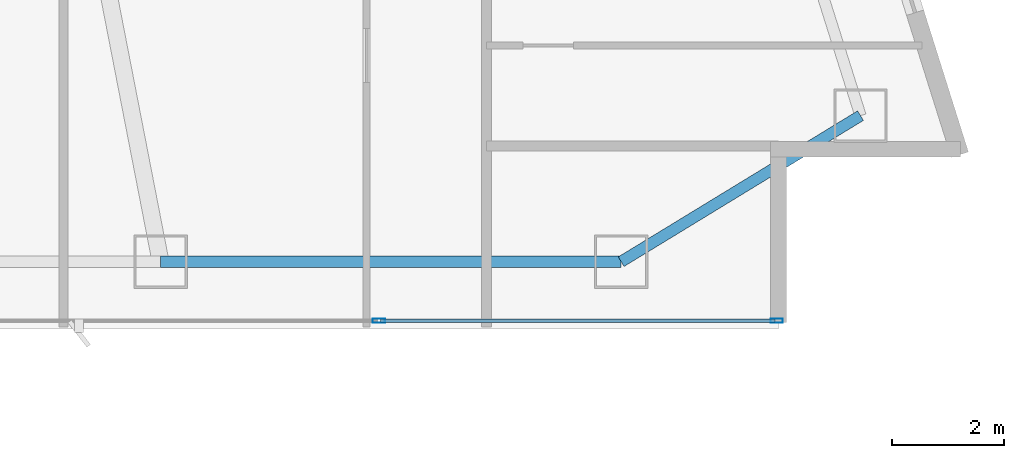
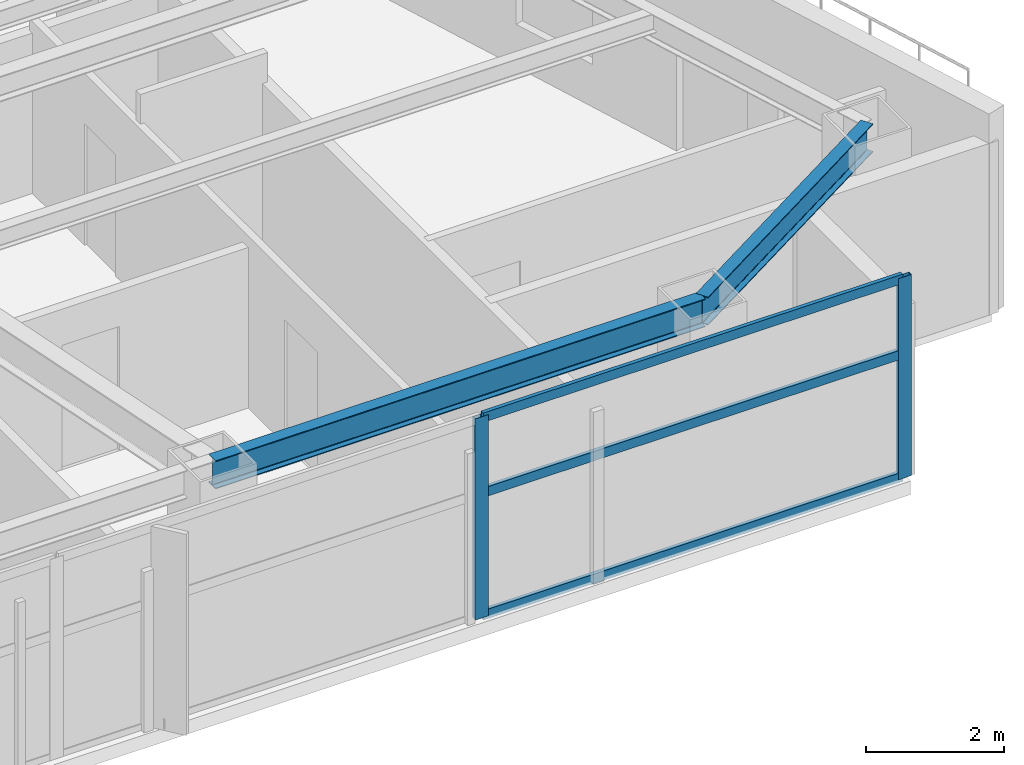
# One storey, part 14 of 30: 5 members, 2 beams, 1 element without a shape of its own.
"""IFC4 building model written with IfcOpenShell, lengths in metres."""

from ifc_helpers import new_model, si_unit, direction, frame, origin, origin_2d, place, context, subcontext, project, spatial, hollow_rectangle, i_section, extrude, material, layer, layer_set, material_profile, profile_set, type_object, element, aggregate, save


model = new_model("IFC4")

# Units and contexts
model_context = context("Model", 3, precision=1e-05, world=origin(), true_north=direction((0.0, 1.0)))
body_context = subcontext(model_context, "Body", "Model", "MODEL_VIEW")
ifc_project = project(units=[si_unit("LENGTHUNIT", "METRE"), si_unit("AREAUNIT", "SQUARE_METRE"), si_unit("VOLUMEUNIT", "CUBIC_METRE"), si_unit("PLANEANGLEUNIT", "RADIAN"), si_unit("MASSUNIT", "GRAM", prefix="KILO")], contexts=[model_context])

# Site, building, storey
site_placement = place(None, origin())
site = spatial("IfcSite", under=ifc_project, at=site_placement, CompositionType="ELEMENT")
building_placement = place(site_placement, origin())
building = spatial("IfcBuilding", under=site, at=building_placement, Name="Calvorn Quay Hotel", CompositionType="ELEMENT")
storey_placement = place(building_placement, frame((0.0, 0.0, 30.800048828125)))
storey = spatial("IfcBuildingStorey", under=building, at=storey_placement, Name="L06", CompositionType="ELEMENT", Elevation=30.800048828125)

# Beams
ifc_material_1 = material(Name="Steel Q355B", Category="steel")
ifc_material_profile_1 = material_profile(ifc_material_1, i_section(OverallWidth=0.199951171875, OverallDepth=0.5, WebThickness=0.010009765625, FlangeThickness=0.01611328125, FilletRadius=0.01611328125, at=origin_2d()), Name="HN500x200x10x16")
ifc_profile_set_1 = profile_set([ifc_material_profile_1], Name="Steel Q355B")
beam_type = type_object("IfcBeamType", Name="BM-SPANDREL-Z1", PredefinedType="SPANDREL", material=ifc_profile_set_1)
beam_1_placement = place(storey_placement, frame((49.39990234375, 3.60009765625, 3.2900390625), z_axis=(1.0, 0.0, 0.0), x_axis=(0.0, 1.0, 0.0)))
element("IfcBeam", 1, at=beam_1_placement, inside=storey, type_object=beam_type, Name="Beam BSP-L06-S6", PredefinedType="SPANDREL", context=body_context, shape_type="SweptSolid", body=[
    extrude(i_section(OverallWidth=0.199951171875, OverallDepth=0.5, WebThickness=0.010009765625, FlangeThickness=0.01611328125, FilletRadius=0.01611328125, at=origin_2d()), origin(), (0.0, 0.0, 1.0), 8.2001953125),
])
beam_2_placement = place(storey_placement, frame((57.60009765625, 3.60009765625, 3.2900390625), z_axis=(0.853645546466, 0.520854376, 0.0), x_axis=(-0.520854376, 0.853645546466, 0.0)))
element("IfcBeam", 2, at=beam_2_placement, inside=storey, type_object=beam_type, Name="Beam BSP-L06-S7", PredefinedType="SPANDREL", context=body_context, shape_type="SweptSolid", body=[
    extrude(i_section(OverallWidth=0.199951171875, OverallDepth=0.5, WebThickness=0.010009765625, FlangeThickness=0.01611328125, FilletRadius=0.01611328125, at=origin_2d()), origin(), (0.0, 0.0, 1.0), 4.991455078125),
])

# Curtain wall, members
ifc_material_2 = material(Name="Pale Anodised Aluminium and Low-E Glass", Category="aluminium")
ifc_layer = layer(ifc_material_2, 0.219970703125)
ifc_layer_set = layer_set([ifc_layer], Name="CW-SYS-Z1")
curtain_wall_type = type_object("IfcCurtainWallType", Name="CW-SYS-Z1", PredefinedType="NOTDEFINED", material=ifc_layer_set)
curtain_wall_placement = place(storey_placement, origin())
curtain_wall = element("IfcCurtainWall", 3, at=curtain_wall_placement, inside=storey, type_object=curtain_wall_type, Name="Tower South Waterfront Curtain Wall (L06)", PredefinedType="NOTDEFINED")
ifc_material_3 = material(Name="Pale Anodised Aluminium 6063-T6", Category="aluminium")
ifc_material_profile_2 = material_profile(ifc_material_3, hollow_rectangle(XDim=0.074951171875, YDim=0.219970703125, WallThickness=0.00439453125, at=origin_2d()), Name="ALU-M220x75x4.5")
ifc_profile_set_2 = profile_set([ifc_material_profile_2], Name="Pale Anodised Aluminium 6063-T6")
member_type_1 = type_object("IfcMemberType", Name="CW-SYS-Z1-MUL", PredefinedType="MULLION", material=ifc_profile_set_2)
member_1_placement = place(storey_placement, frame((53.28564453125, 2.550048828125, 0.0), z_axis=(0.0, 0.0, 1.0), x_axis=(0.0, 1.0, 0.0)))
member_1 = element("IfcMember", 4, at=member_1_placement, type_object=member_type_1, Name="CW-L06-S mullion 7", PredefinedType="MULLION", context=body_context, shape_type="SweptSolid", body=[
    extrude(hollow_rectangle(XDim=0.074951171875, YDim=0.219970703125, WallThickness=0.00439453125, at=origin_2d()), origin(), (0.0, 0.0, 1.0), 3.56005859375),
])
member_2_placement = place(storey_placement, frame((60.3701171875, 2.550048828125, 0.0), z_axis=(0.0, 0.0, 1.0), x_axis=(0.0, 1.0, 0.0)))
member_2 = element("IfcMember", 5, at=member_2_placement, type_object=member_type_1, Name="CW-L06-S mullion 8", PredefinedType="MULLION", context=body_context, shape_type="SweptSolid", body=[
    extrude(hollow_rectangle(XDim=0.074951171875, YDim=0.219970703125, WallThickness=0.00439453125, at=origin_2d()), origin(), (0.0, 0.0, 1.0), 3.56005859375),
])
ifc_material_4 = material(Name="Pale Anodised Aluminium 6063-T6", Category="aluminium")
ifc_material_profile_3 = material_profile(ifc_material_4, hollow_rectangle(XDim=0.06494140625, YDim=0.1650390625, WallThickness=0.00341796875, at=origin_2d()), Name="ALU-T165x65x3.5")
ifc_profile_set_3 = profile_set([ifc_material_profile_3], Name="Pale Anodised Aluminium 6063-T6")
member_type_2 = type_object("IfcMemberType", Name="CW-SYS-Z1-TRN", PredefinedType="USERDEFINED", material=ifc_profile_set_3)
member_3_placement = place(storey_placement, frame((53.315673828125, 2.550048828125, 0.030029296875), z_axis=(1.0, 0.0, 0.0), x_axis=(0.0, 1.0, 0.0)))
member_3 = element("IfcMember", 6, at=member_3_placement, type_object=member_type_2, Name="CW-L06-S transom 7.1", ObjectType="TRANSOM", PredefinedType="USERDEFINED", context=body_context, shape_type="SweptSolid", body=[
    extrude(hollow_rectangle(XDim=0.06494140625, YDim=0.1650390625, WallThickness=0.00341796875, at=origin_2d()), origin(), (0.0, 0.0, 1.0), 7.0244140625),
])
member_4_placement = place(storey_placement, frame((53.315673828125, 2.550048828125, 2.199951171875), z_axis=(1.0, 0.0, 0.0), x_axis=(0.0, 1.0, 0.0)))
member_4 = element("IfcMember", 7, at=member_4_placement, type_object=member_type_2, Name="CW-L06-S transom 7.2", ObjectType="TRANSOM", PredefinedType="USERDEFINED", context=body_context, shape_type="SweptSolid", body=[
    extrude(hollow_rectangle(XDim=0.06494140625, YDim=0.1650390625, WallThickness=0.00341796875, at=origin_2d()), origin(), (0.0, 0.0, 1.0), 7.0244140625),
])
member_5_placement = place(storey_placement, frame((53.315673828125, 2.550048828125, 3.530029296875), z_axis=(1.0, 0.0, 0.0), x_axis=(0.0, 1.0, 0.0)))
member_5 = element("IfcMember", 8, at=member_5_placement, type_object=member_type_2, Name="CW-L06-S transom 7.3", ObjectType="TRANSOM", PredefinedType="USERDEFINED", context=body_context, shape_type="SweptSolid", body=[
    extrude(hollow_rectangle(XDim=0.06494140625, YDim=0.1650390625, WallThickness=0.00341796875, at=origin_2d()), origin(), (0.0, 0.0, 1.0), 7.0244140625),
])
aggregate(curtain_wall, [member_1, member_2, member_3, member_4, member_5])

save(model, "model.ifc")
